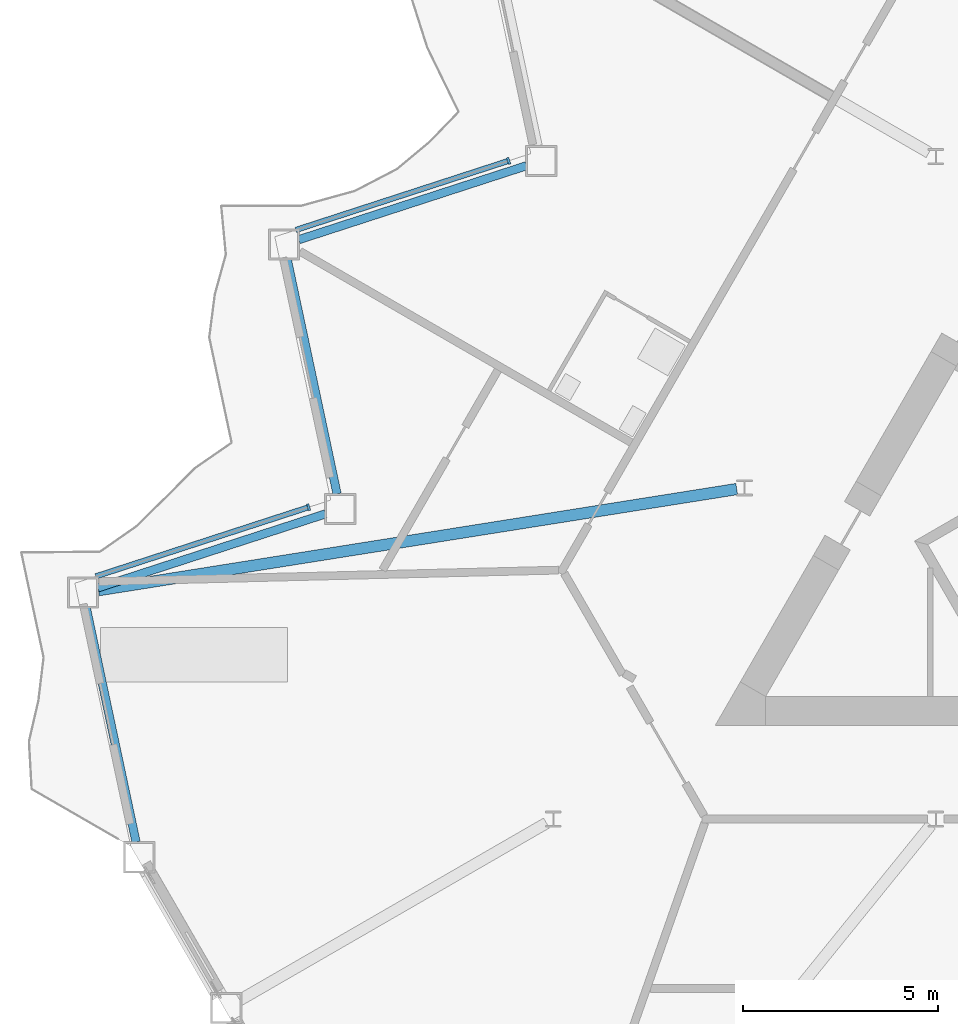
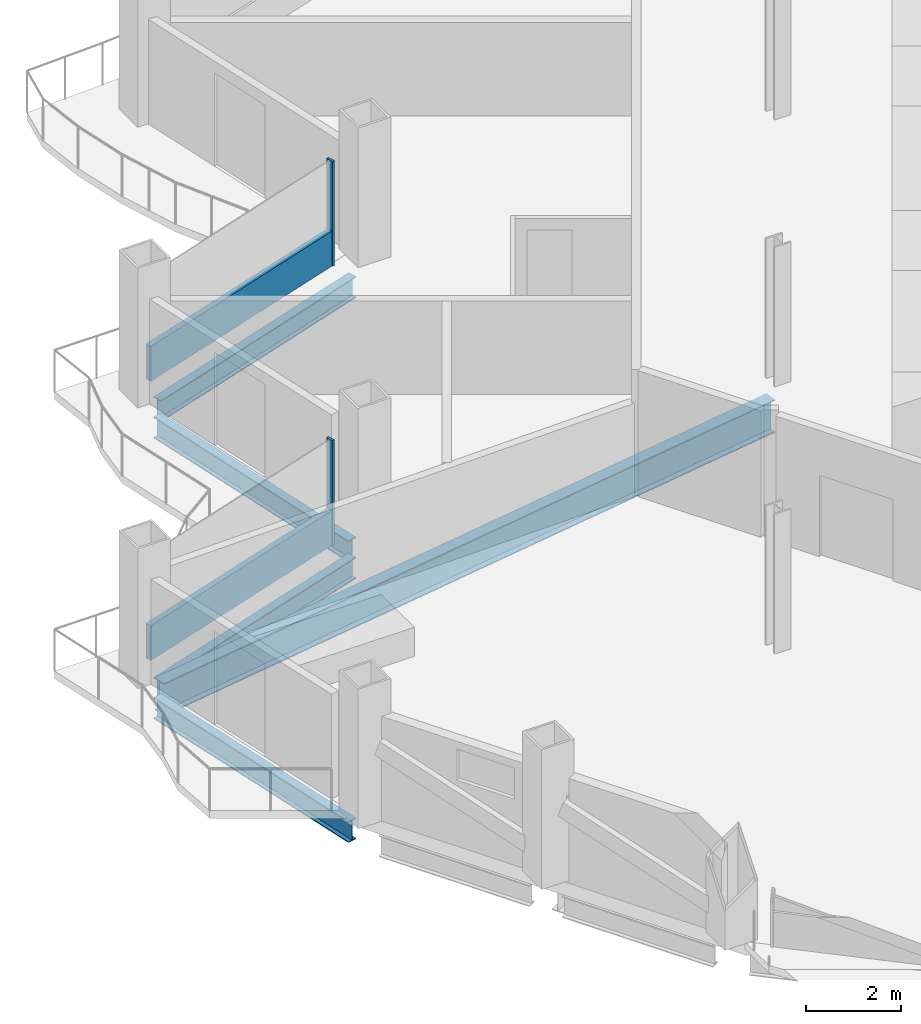
# One storey, part 4 of 22: 5 beams, 4 members, 2 elements without a shape of their own.
"""IFC4 building model written with IfcOpenShell, lengths in metres."""

from ifc_helpers import new_model, si_unit, direction, frame, origin, origin_2d, place, context, subcontext, project, spatial, rectangle, i_section, extrude, material, layer, layer_set, material_profile, profile_set, type_object, element, aggregate, save


model = new_model("IFC4")

# Units and contexts
model_context = context("Model", 3, precision=1e-05, world=origin(), true_north=direction((0.0, 1.0)))
body_context = subcontext(model_context, "Body", "Model", "MODEL_VIEW")
ifc_project = project(units=[si_unit("LENGTHUNIT", "METRE"), si_unit("AREAUNIT", "SQUARE_METRE"), si_unit("VOLUMEUNIT", "CUBIC_METRE"), si_unit("PLANEANGLEUNIT", "RADIAN"), si_unit("MASSUNIT", "GRAM", prefix="KILO")], contexts=[model_context])

# Site, building, storey
site_placement = place(None, origin())
site = spatial("IfcSite", under=ifc_project, at=site_placement, CompositionType="ELEMENT")
building_placement = place(site_placement, origin())
building = spatial("IfcBuilding", under=site, at=building_placement, Name="Cormorant Prow Tower", CompositionType="ELEMENT")
storey_placement = place(building_placement, frame((0.0, 0.0, 194.39990234375)))
storey = spatial("IfcBuildingStorey", under=building, at=storey_placement, Name="L42", CompositionType="ELEMENT", Elevation=194.39990234375)

# Curtain wall, member
ifc_material_1 = material(Name="Aluminium 6063-T6", Category="aluminium")
ifc_layer = layer(ifc_material_1, 0.179931640625)
ifc_layer_set = layer_set([ifc_layer], Name="Aluminium 6063-T6")
curtain_wall_type = type_object("IfcCurtainWallType", Name="Hotel unitised curtain wall 180", PredefinedType="NOTDEFINED", material=ifc_layer_set)
curtain_wall_1_placement = place(storey_placement, origin())
curtain_wall_1 = element("IfcCurtainWall", 1, at=curtain_wall_1_placement, inside=storey, type_object=curtain_wall_type, Name="Hotel curtain wall WNW06", PredefinedType="NOTDEFINED")
ifc_material_2 = material(Name="Aluminium 6063-T6", Category="aluminium")
ifc_material_profile_1 = material_profile(ifc_material_2, rectangle(XDim=0.179931640625, YDim=0.06005859375, at=origin_2d()), Name="Hotel mullion 60x180")
ifc_profile_set_1 = profile_set([ifc_material_profile_1], Name="Aluminium 6063-T6")
member_type_1 = type_object("IfcMemberType", Name="Hotel mullion 60x180", PredefinedType="MULLION", material=ifc_profile_set_1)
member_1_placement = place(storey_placement, frame((-20.803955078125, 5.564697265625, 0.0), z_axis=(0.0, 0.0, 1.0), x_axis=(0.309016983088, -0.951056519963, 0.0)))
member_1 = element("IfcMember", 2, at=member_1_placement, type_object=member_type_1, Name="Hotel mullion WNW06", PredefinedType="MULLION", context=body_context, shape_type="SweptSolid", body=[
    extrude(rectangle(XDim=0.179931640625, YDim=0.06005859375, at=origin_2d()), origin(), (0.0, 0.0, 1.0), 2.700927734375),
])

curtain_wall_2_placement = place(storey_placement, origin())
curtain_wall_2 = element("IfcCurtainWall", 3, at=curtain_wall_2_placement, inside=storey, type_object=curtain_wall_type, Name="Hotel curtain wall WNW08", PredefinedType="NOTDEFINED")
member_2_placement = place(storey_placement, frame((-25.942626953125, -3.335693359375, 0.0), z_axis=(0.0, 0.0, 1.0), x_axis=(0.309017113905, -0.951056477458, 0.0)))
member_2 = element("IfcMember", 4, at=member_2_placement, type_object=member_type_1, Name="Hotel mullion WNW08", PredefinedType="MULLION", context=body_context, shape_type="SweptSolid", body=[
    extrude(rectangle(XDim=0.179931640625, YDim=0.06005859375, at=origin_2d()), origin(), (0.0, 0.0, 1.0), 2.700927734375),
])

# Member
ifc_material_3 = material(Name="Terracotta", Category="masonry")
ifc_material_profile_2 = material_profile(ifc_material_3, rectangle(XDim=0.139892578125, YDim=0.89990234375, at=origin_2d()), Name="Hotel terracotta spandrel rail 140x900")
ifc_profile_set_2 = profile_set([ifc_material_profile_2], Name="Terracotta")
member_type_2 = type_object("IfcMemberType", Name="Hotel terracotta spandrel rail 140x900", PredefinedType="USERDEFINED", material=ifc_profile_set_2)
member_3_placement = place(storey_placement, frame((-20.83251953125, 5.555419921875, 0.4501953125), z_axis=(-0.951046930977, -0.309046493394, 0.0), x_axis=(0.309046493394, -0.951046930977, 0.0)))
member_3 = element("IfcMember", 5, at=member_3_placement, type_object=member_type_2, Name="Hotel spandrel rail WNW06", ObjectType="TRANSOM", PredefinedType="USERDEFINED", context=body_context, shape_type="SweptSolid", body=[
    extrude(rectangle(XDim=0.139892578125, YDim=0.89990234375, at=origin_2d()), origin(), (0.0, 0.0, 1.0), 5.71875),
])

aggregate(curtain_wall_1, [member_1, member_3])

member_4_placement = place(storey_placement, frame((-25.970947265625, -3.344970703125, 0.4501953125), z_axis=(-0.951059478258, -0.309007878243, 0.0), x_axis=(0.309007878243, -0.951059478258, 0.0)))
member_4 = element("IfcMember", 6, at=member_4_placement, type_object=member_type_2, Name="Hotel spandrel rail WNW08", ObjectType="TRANSOM", PredefinedType="USERDEFINED", context=body_context, shape_type="SweptSolid", body=[
    extrude(rectangle(XDim=0.139892578125, YDim=0.89990234375, at=origin_2d()), origin(), (0.0, 0.0, 1.0), 5.718505859375),
])

aggregate(curtain_wall_2, [member_2, member_4])

# Beams
ifc_material_4 = material(Name="Structural steel ASTM A992 Gr 50", Category="steel")
ifc_material_profile_3 = material_profile(ifc_material_4, i_section(OverallWidth=0.29296875, OverallDepth=0.845703125, WebThickness=0.015380859375, FlangeThickness=0.0244140625, at=origin_2d()), Name="W33x141")
ifc_profile_set_3 = profile_set([ifc_material_profile_3], Name="Structural steel ASTM A992 Gr 50")
beam_type_1 = type_object("IfcBeamType", Name="Radial floor beam W33x141", PredefinedType="BEAM", material=ifc_profile_set_3)
beam_1_placement = place(storey_placement, frame((-14.94384765625, -2.869140625, -0.772705078125), z_axis=(-0.987678058302, -0.156499371084, 0.0), x_axis=(0.156499371084, -0.987678058302, 0.0)))
element("IfcBeam", 7, at=beam_1_placement, inside=storey, type_object=beam_type_1, Name="Radial floor beam FB2 4 L42", PredefinedType="BEAM", context=body_context, shape_type="SweptSolid", body=[
    extrude(i_section(OverallWidth=0.29296875, OverallDepth=0.845703125, WebThickness=0.015380859375, FlangeThickness=0.0244140625, at=origin_2d()), origin(), (0.0, 0.0, 1.0), 16.604736328125),
])
ifc_material_5 = material(Name="Structural steel ASTM A992 Gr 50", Category="steel")
ifc_material_profile_4 = material_profile(ifc_material_5, i_section(OverallWidth=0.2138671875, OverallDepth=0.549072265625, WebThickness=0.0146484375, FlangeThickness=0.023681640625, at=origin_2d()), Name="W21x93")
ifc_profile_set_4 = profile_set([ifc_material_profile_4], Name="Structural steel ASTM A992 Gr 50")
beam_type_2 = type_object("IfcBeamType", Name="Spandrel beam W21x93", PredefinedType="SPANDREL", material=ifc_profile_set_4)
beam_2_placement = place(storey_placement, frame((-20.344970703125, 5.439208984375, -0.62451171875), z_axis=(-0.951057696564, -0.309013361859, 0.0), x_axis=(0.309013361859, -0.951057696564, 0.0)))
element("IfcBeam", 8, at=beam_2_placement, inside=storey, type_object=beam_type_2, Name="Spandrel beam SB2 WNW06-WNW07 L42", PredefinedType="SPANDREL", context=body_context, shape_type="SweptSolid", body=[
    extrude(i_section(OverallWidth=0.2138671875, OverallDepth=0.549072265625, WebThickness=0.0146484375, FlangeThickness=0.023681640625, at=origin_2d()), origin(), (0.0, 0.0, 1.0), 6.14990234375),
])
beam_3_placement = place(storey_placement, frame((-26.490966796875, 3.02392578125, -0.62451171875), z_axis=(0.207904811195, -0.978149063018, 0.0), x_axis=(0.978149063018, 0.207904811195, 0.0)))
element("IfcBeam", 9, at=beam_3_placement, inside=storey, type_object=beam_type_2, Name="Spandrel beam SB2 WNW07-WNW08 L42", PredefinedType="SPANDREL", context=body_context, shape_type="SweptSolid", body=[
    extrude(i_section(OverallWidth=0.2138671875, OverallDepth=0.549072265625, WebThickness=0.0146484375, FlangeThickness=0.023681640625, at=origin_2d()), origin(), (0.0, 0.0, 1.0), 6.149658203125),
])
beam_4_placement = place(storey_placement, frame((-25.509765625, -3.50634765625, -0.62451171875), z_axis=(-0.951057696564, -0.309013361859, 0.0), x_axis=(0.309013361859, -0.951057696564, 0.0)))
element("IfcBeam", 10, at=beam_4_placement, inside=storey, type_object=beam_type_2, Name="Spandrel beam SB2 WNW08-WNW09 L42", PredefinedType="SPANDREL", context=body_context, shape_type="SweptSolid", body=[
    extrude(i_section(OverallWidth=0.2138671875, OverallDepth=0.549072265625, WebThickness=0.0146484375, FlangeThickness=0.023681640625, at=origin_2d()), origin(), (0.0, 0.0, 1.0), 6.14990234375),
])
beam_5_placement = place(storey_placement, frame((-31.65576171875, -5.921630859375, -0.62451171875), z_axis=(0.207904811195, -0.978149063018, 0.0), x_axis=(0.978149063018, 0.207904811195, 0.0)))
element("IfcBeam", 11, at=beam_5_placement, inside=storey, type_object=beam_type_2, Name="Spandrel beam SB2 WNW09-WSW00 L42", PredefinedType="SPANDREL", context=body_context, shape_type="SweptSolid", body=[
    extrude(i_section(OverallWidth=0.2138671875, OverallDepth=0.549072265625, WebThickness=0.0146484375, FlangeThickness=0.023681640625, at=origin_2d()), origin(), (0.0, 0.0, 1.0), 6.149658203125),
])

save(model, "model.ifc")
